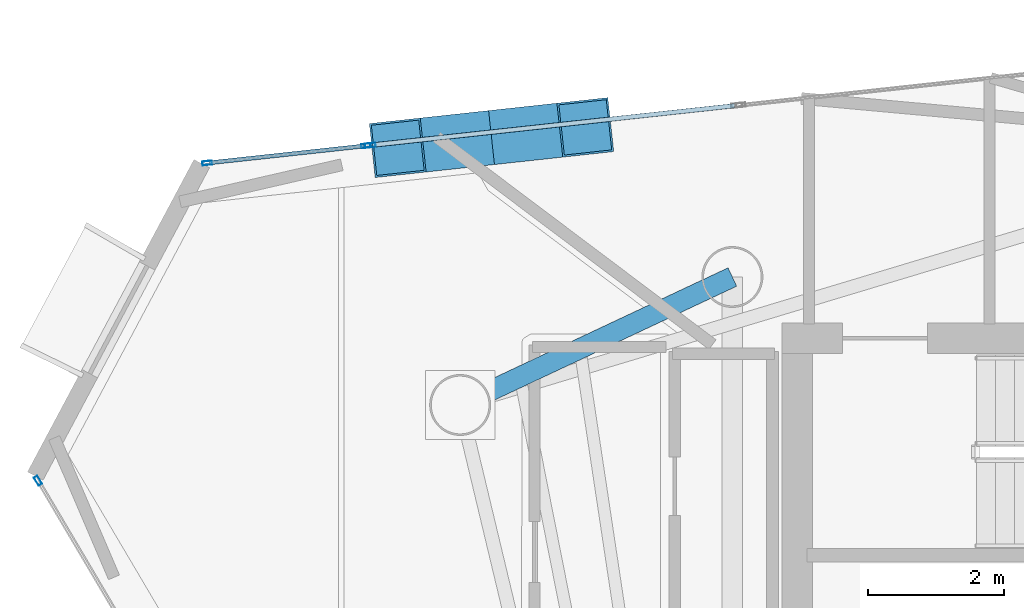
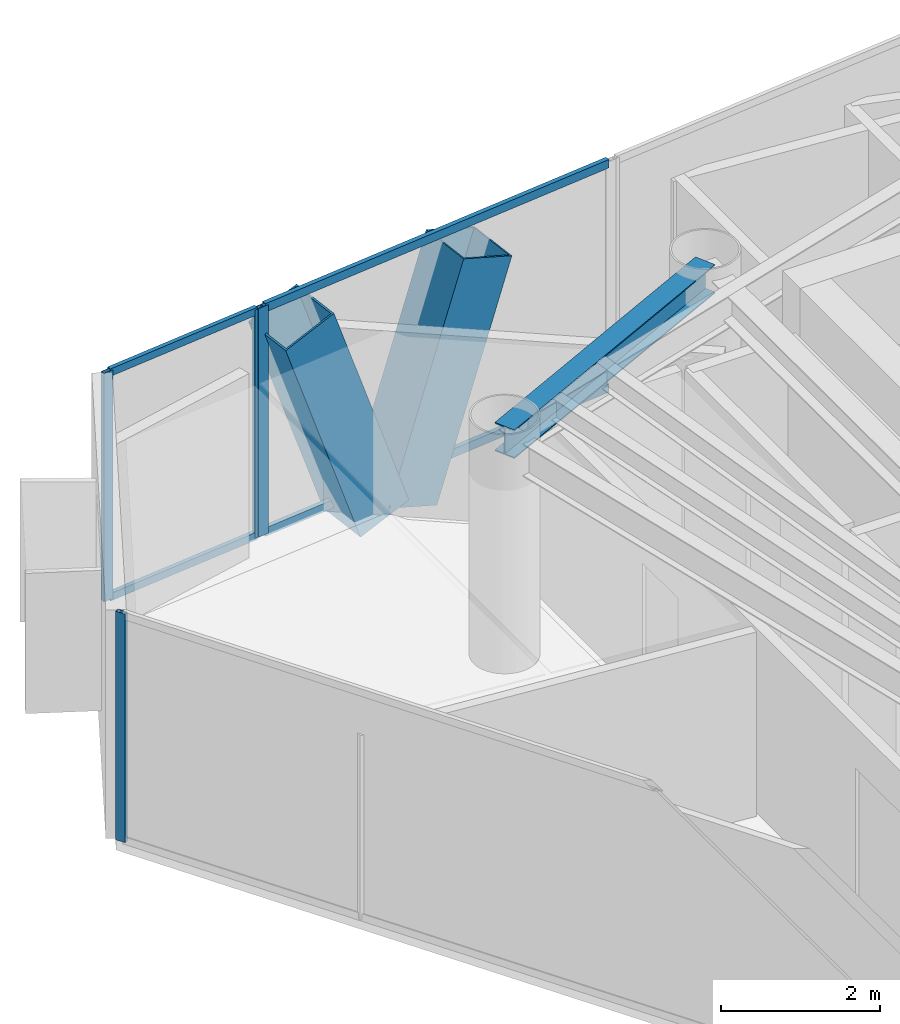
# One storey, part 8 of 19: 10 members, 1 beam, 3 elements without a shape of their own.
"""IFC4 building model written with IfcOpenShell, lengths in metres."""

from ifc_helpers import new_model, si_unit, direction, frame, origin, origin_2d, place, context, subcontext, project, spatial, hollow_rectangle, i_section, extrude, material, layer, layer_set, material_profile, profile_set, type_object, element, aggregate, save


model = new_model("IFC4")

# Units and contexts
model_context = context("Model", 3, precision=1e-05, world=origin(), true_north=direction((0.0, 1.0)))
body_context = subcontext(model_context, "Body", "Model", "MODEL_VIEW")
ifc_project = project(units=[si_unit("LENGTHUNIT", "METRE"), si_unit("AREAUNIT", "SQUARE_METRE"), si_unit("VOLUMEUNIT", "CUBIC_METRE"), si_unit("PLANEANGLEUNIT", "RADIAN"), si_unit("MASSUNIT", "GRAM", prefix="KILO")], contexts=[model_context])

# Site, building, storey
site_placement = place(None, origin())
site = spatial("IfcSite", under=ifc_project, at=site_placement, CompositionType="ELEMENT")
building_placement = place(site_placement, origin())
building = spatial("IfcBuilding", under=site, at=building_placement, Name="Qianvela Tower", CompositionType="ELEMENT")
storey_placement = place(building_placement, frame((0.0, 0.0, 280.60009765625)))
storey = spatial("IfcBuildingStorey", under=building, at=storey_placement, Name="L72", CompositionType="ELEMENT", Elevation=280.60009765625)

# Beam
ifc_material_1 = material(Name="Steel Q355B", Category="steel")
ifc_material_profile_1 = material_profile(ifc_material_1, i_section(OverallWidth=0.300048828125, OverallDepth=0.43994140625, WebThickness=0.010986328125, FlangeThickness=0.01806640625, at=origin_2d()), Name="HM440x300x11x18")
ifc_profile_set_1 = profile_set([ifc_material_profile_1], Name="Steel Q355B")
beam_type = type_object("IfcBeamType", Name="BM-HM440-COLL", PredefinedType="BEAM", material=ifc_profile_set_1)
beam_placement = place(storey_placement, frame((28.60009765625, 33.550048828125, 3.2978515625), z_axis=(-0.904957143986, -0.425502723316, 0.0), x_axis=(0.425502723316, -0.904957143986, 0.0)))
element("IfcBeam", 1, at=beam_placement, inside=storey, type_object=beam_type, Name="L72 Radial Primary Floor Girder 3", PredefinedType="BEAM", context=body_context, shape_type="SweptSolid", body=[
    extrude(i_section(OverallWidth=0.300048828125, OverallDepth=0.43994140625, WebThickness=0.010986328125, FlangeThickness=0.01806640625, at=origin_2d()), origin(), (0.0, 0.0, 1.0), 4.4345703125),
])

# Curtain wall, members
ifc_material_2 = material(Name="Anodised Architectural Aluminium and Insulated Spandrel Panel", Category="aluminium")
ifc_layer_1 = layer(ifc_material_2, 0.179931640625)
ifc_layer_set_1 = layer_set([ifc_layer_1], Name="Anodised Architectural Aluminium and Insulated Spandrel Panel")
curtain_wall_type_1 = type_object("IfcCurtainWallType", Name="CW-BRACEBAY", PredefinedType="USERDEFINED", material=ifc_layer_set_1)
curtain_wall_1_placement = place(storey_placement, origin())
curtain_wall_1 = element("IfcCurtainWall", 2, at=curtain_wall_1_placement, inside=storey, type_object=curtain_wall_type_1, Name="L72 CW-BRACEBAY Curtain Wall 02B", ObjectType="CURTAIN_WALL_SYSTEM", PredefinedType="USERDEFINED")
ifc_material_3 = material(Name="Anodised Architectural Aluminium 6063-T6", Category="aluminium")
ifc_material_profile_2 = material_profile(ifc_material_3, hollow_rectangle(XDim=0.06494140625, YDim=0.159912109375, WallThickness=0.0048828125, at=origin_2d()), Name="ALU-MULL-65x160")
ifc_profile_set_2 = profile_set([ifc_material_profile_2], Name="Anodised Architectural Aluminium 6063-T6")
member_type_1 = type_object("IfcMemberType", Name="CW-BRACEBAY-MULL", PredefinedType="MULLION", material=ifc_profile_set_2)
member_1_placement = place(storey_placement, frame((23.26123046875, 35.49169921875, 0.0), z_axis=(0.0, 0.0, 1.0), x_axis=(0.108126370314, -0.994137157561, 0.0)))
member_1 = element("IfcMember", 3, at=member_1_placement, type_object=member_type_1, Name="CW-9 mullion 2", PredefinedType="MULLION", context=body_context, shape_type="SweptSolid", body=[
    extrude(hollow_rectangle(XDim=0.06494140625, YDim=0.159912109375, WallThickness=0.0048828125, at=origin_2d()), origin(), (0.0, 0.0, 1.0), 3.52001953125),
])
ifc_material_4 = material(Name="Anodised Architectural Aluminium 6063-T6", Category="aluminium")
ifc_material_profile_3 = material_profile(ifc_material_4, hollow_rectangle(XDim=0.06494140625, YDim=0.1298828125, WallThickness=0.00439453125, at=origin_2d()), Name="ALU-TRAN-65x130")
ifc_profile_set_3 = profile_set([ifc_material_profile_3], Name="Anodised Architectural Aluminium 6063-T6")
member_type_2 = type_object("IfcMemberType", Name="CW-BRACEBAY-TRAN", PredefinedType="USERDEFINED", material=ifc_profile_set_3)
member_2_placement = place(storey_placement, frame((28.632080078125, 36.075927734375, 0.032470703125), z_axis=(-0.994133947362, -0.108155881501, 0.0), x_axis=(0.108155881501, -0.994133947362, 0.0)))
member_2 = element("IfcMember", 4, at=member_2_placement, type_object=member_type_2, Name="CW-9 transom 1.1", ObjectType="TRANSOM", PredefinedType="USERDEFINED", context=body_context, shape_type="SweptSolid", body=[
    extrude(hollow_rectangle(XDim=0.06494140625, YDim=0.1298828125, WallThickness=0.00439453125, at=origin_2d()), origin(), (0.0, 0.0, 1.0), 5.3701171875),
])
member_3_placement = place(storey_placement, frame((28.632080078125, 36.075927734375, 3.4873046875), z_axis=(-0.994133947362, -0.108155881501, 0.0), x_axis=(0.108155881501, -0.994133947362, 0.0)))
member_3 = element("IfcMember", 5, at=member_3_placement, type_object=member_type_2, Name="CW-9 transom 1.2", ObjectType="TRANSOM", PredefinedType="USERDEFINED", context=body_context, shape_type="SweptSolid", body=[
    extrude(hollow_rectangle(XDim=0.06494140625, YDim=0.1298828125, WallThickness=0.00439453125, at=origin_2d()), origin(), (0.0, 0.0, 1.0), 5.3701171875),
])
aggregate(curtain_wall_1, [member_1, member_2, member_3])

ifc_material_5 = material(Name="Anodised Architectural Aluminium and Low-E Glass", Category="aluminium")
ifc_layer_2 = layer(ifc_material_5, 0.14990234375)
ifc_layer_set_2 = layer_set([ifc_layer_2], Name="Anodised Architectural Aluminium and Low-E Glass")
curtain_wall_type_2 = type_object("IfcCurtainWallType", Name="CW-COLIV-Z78", PredefinedType="USERDEFINED", material=ifc_layer_set_2)
curtain_wall_2_placement = place(storey_placement, origin())
curtain_wall_2 = element("IfcCurtainWall", 6, at=curtain_wall_2_placement, inside=storey, type_object=curtain_wall_type_2, Name="L72 CW-COLIV-Z78 Curtain Wall 02C", ObjectType="CURTAIN_WALL_SYSTEM", PredefinedType="USERDEFINED")
ifc_material_6 = material(Name="Anodised Architectural Aluminium 6063-T6", Category="aluminium")
ifc_material_profile_4 = material_profile(ifc_material_6, hollow_rectangle(XDim=0.06005859375, YDim=0.139892578125, WallThickness=0.00439453125, at=origin_2d()), Name="ALU-MULL-60x140")
ifc_profile_set_4 = profile_set([ifc_material_profile_4], Name="Anodised Architectural Aluminium 6063-T6")
member_type_3 = type_object("IfcMemberType", Name="CW-COLIV-Z78-MULL", PredefinedType="MULLION", material=ifc_profile_set_4)
member_4_placement = place(storey_placement, frame((23.198974609375, 35.48486328125, 0.0), z_axis=(0.0, 0.0, 1.0), x_axis=(0.108119633209, -0.994137890292, 0.0)))
member_4 = element("IfcMember", 7, at=member_4_placement, type_object=member_type_3, Name="CW-6 mullion 1", PredefinedType="MULLION", context=body_context, shape_type="SweptSolid", body=[
    extrude(hollow_rectangle(XDim=0.06005859375, YDim=0.139892578125, WallThickness=0.00439453125, at=origin_2d()), origin(), (0.0, 0.0, 1.0), 3.52001953125),
])
member_5_placement = place(storey_placement, frame((20.85595703125, 35.230224609375, 0.0), z_axis=(0.0, 0.0, 1.0), x_axis=(0.108119633209, -0.994137890292, 0.0)))
member_5 = element("IfcMember", 8, at=member_5_placement, type_object=member_type_3, Name="CW-6 mullion 2", PredefinedType="MULLION", context=body_context, shape_type="SweptSolid", body=[
    extrude(hollow_rectangle(XDim=0.06005859375, YDim=0.139892578125, WallThickness=0.00439453125, at=origin_2d()), origin(), (0.0, 0.0, 1.0), 3.52001953125),
])

# Curtain wall, member
curtain_wall_3_placement = place(storey_placement, origin())
curtain_wall_3 = element("IfcCurtainWall", 9, at=curtain_wall_3_placement, inside=storey, type_object=curtain_wall_type_2, Name="L72 CW-COLIV-Z78 Curtain Wall 04A", ObjectType="CURTAIN_WALL_SYSTEM", PredefinedType="USERDEFINED")
member_6_placement = place(storey_placement, frame((18.36279296875, 30.547119140625, 0.0), z_axis=(0.0, 0.0, 1.0), x_axis=(0.861096013624, 0.508442381516, 0.0)))
member_6 = element("IfcMember", 10, at=member_6_placement, type_object=member_type_3, Name="CW-6 mullion 1", PredefinedType="MULLION", context=body_context, shape_type="SweptSolid", body=[
    extrude(hollow_rectangle(XDim=0.06005859375, YDim=0.139892578125, WallThickness=0.00439453125, at=origin_2d()), origin(), (0.0, 0.0, 1.0), 3.52001953125),
])
aggregate(curtain_wall_3, [member_6])

# Member
ifc_material_7 = material(Name="Anodised Architectural Aluminium 6063-T6", Category="aluminium")
ifc_material_profile_5 = material_profile(ifc_material_7, hollow_rectangle(XDim=0.06005859375, YDim=0.114990234375, WallThickness=0.00390625, at=origin_2d()), Name="ALU-TRAN-60x115")
ifc_profile_set_5 = profile_set([ifc_material_profile_5], Name="Anodised Architectural Aluminium 6063-T6")
member_type_4 = type_object("IfcMemberType", Name="CW-COLIV-Z78-TRAN", PredefinedType="USERDEFINED", material=ifc_profile_set_5)
member_7_placement = place(storey_placement, frame((23.169189453125, 35.481689453125, 0.02978515625), z_axis=(-0.994140242442, -0.108098003482, 0.0), x_axis=(0.108098003482, -0.994140242442, 0.0)))
member_7 = element("IfcMember", 11, at=member_7_placement, type_object=member_type_4, Name="CW-6 transom 1.1", ObjectType="TRANSOM", PredefinedType="USERDEFINED", context=body_context, shape_type="SweptSolid", body=[
    extrude(hollow_rectangle(XDim=0.06005859375, YDim=0.114990234375, WallThickness=0.00390625, at=origin_2d()), origin(), (0.0, 0.0, 1.0), 2.296875),
])

member_8_placement = place(storey_placement, frame((23.169189453125, 35.481689453125, 3.489990234375), z_axis=(-0.994140242442, -0.108098003482, 0.0), x_axis=(0.108098003482, -0.994140242442, 0.0)))
member_8 = element("IfcMember", 12, at=member_8_placement, type_object=member_type_4, Name="CW-6 transom 1.2", ObjectType="TRANSOM", PredefinedType="USERDEFINED", context=body_context, shape_type="SweptSolid", body=[
    extrude(hollow_rectangle(XDim=0.06005859375, YDim=0.114990234375, WallThickness=0.00390625, at=origin_2d()), origin(), (0.0, 0.0, 1.0), 2.296875),
])

aggregate(curtain_wall_2, [member_4, member_5, member_7, member_8])

# Members
ifc_material_8 = material(Name="Steel Q420GJC", Category="steel")
ifc_material_profile_6 = material_profile(ifc_material_8, hollow_rectangle(XDim=0.800048828125, YDim=0.800048828125, WallThickness=0.028076171875, at=origin_2d()), Name="MBOX-800x800x28")
ifc_profile_set_6 = profile_set([ifc_material_profile_6], Name="Steel Q420GJC")
member_type_5 = type_object("IfcMemberType", Name="MBR-MBRACE-800", PredefinedType="BRACE", material=ifc_profile_set_6)
for number, where, z_axis, x_axis, name in (
    (13, (25.267822265625, 35.62939453125, -0.14013671875), (0.327310752173, 0.035627995046, 0.944244839796), (-0.108211488686, 0.994127896056, 0.0), "L72 Tier 12 Exterior Mega-Brace F1A"),
    (14, (24.830322265625, 35.581787109375, -0.14013671875), (-0.327250256717, -0.035560233476, 0.944268361894), (0.108027815733, -0.994147871812, 0.0), "L72 Tier 12 Exterior Mega-Brace F1B"),
):
    element("IfcMember", number, at=place(storey_placement, frame(where, z_axis=z_axis, x_axis=x_axis)), inside=storey, type_object=member_type_5, Name=name, PredefinedType="BRACE", context=body_context, shape_type="SweptSolid", body=[
        extrude(hollow_rectangle(XDim=0.800048828125, YDim=0.800048828125, WallThickness=0.028076171875, at=origin_2d()), origin(), (0.0, 0.0, 1.0), 3.556396484375),
    ])

save(model, "model.ifc")
